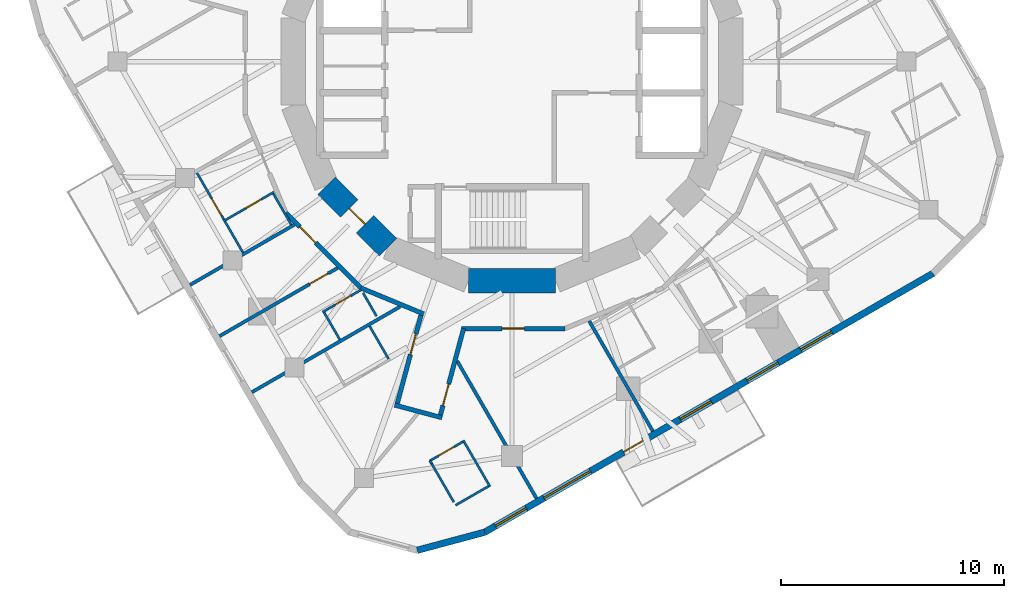
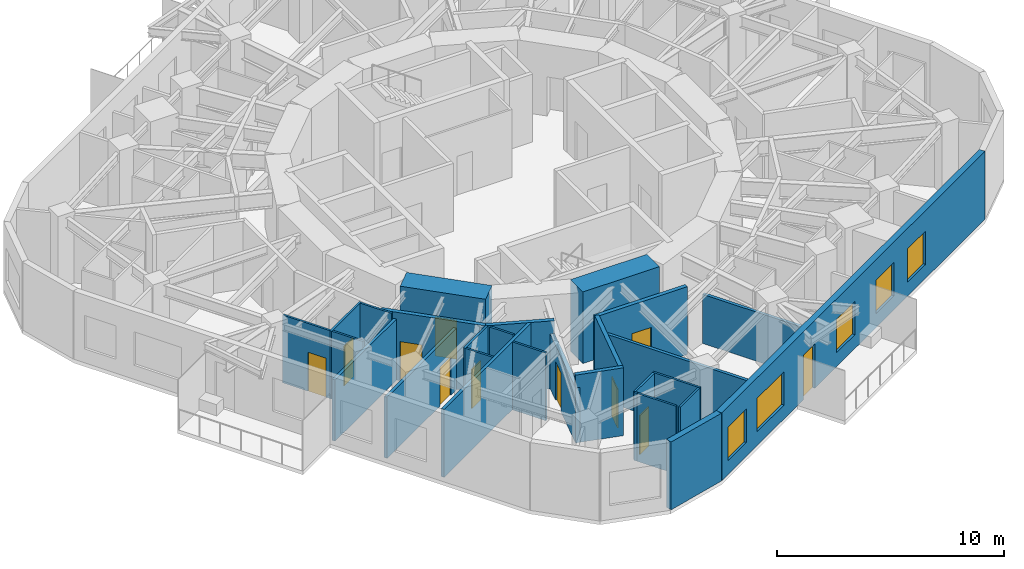
# One storey, part 4 of 11: 28 walls, 11 doors, 5 windows, 16 openings.
"""IFC4 building model written with IfcOpenShell, lengths in metres."""

from ifc_helpers import new_model, si_unit, direction, frame, frame_2d, origin, place, context, subcontext, project, spatial, rectangle, extrude, material, layer, layer_set, type_object, element, fill, save


model = new_model("IFC4")

# Units and contexts
model_context = context("Model", 3, precision=1e-05, world=origin(), true_north=direction((0.0, 1.0)))
body_context = subcontext(model_context, "Body", "Model", "MODEL_VIEW")
ifc_project = project(units=[si_unit("LENGTHUNIT", "METRE"), si_unit("AREAUNIT", "SQUARE_METRE"), si_unit("VOLUMEUNIT", "CUBIC_METRE"), si_unit("PLANEANGLEUNIT", "RADIAN"), si_unit("MASSUNIT", "GRAM", prefix="KILO")], contexts=[model_context])

# Site, building, storey
site_placement = place(None, origin())
site = spatial("IfcSite", under=ifc_project, at=site_placement, CompositionType="ELEMENT")
building_placement = place(site_placement, origin())
building = spatial("IfcBuilding", under=site, at=building_placement, Name="Nakasero Lantern House", CompositionType="ELEMENT")
storey_placement = place(building_placement, frame((0.0, 0.0, 246.199951171875)))
storey = spatial("IfcBuildingStorey", under=building, at=storey_placement, Name="L60", CompositionType="ELEMENT", Elevation=246.199951171875)

# Wall, opening, door
ifc_material_1 = material(Name="Concrete C50/60", Category="concrete")
ifc_layer_1 = layer(ifc_material_1, 1.10009765625)
ifc_layer_set_1 = layer_set([ifc_layer_1], Name="Core wall 1100")
wall_type_1 = type_object("IfcWallType", Name="Core wall 1100", PredefinedType="SHEAR", material=ifc_layer_set_1)
wall_1_placement = place(storey_placement, frame((-8.314697265625, -5.5556640625, 0.0), z_axis=(0.0, 0.0, 1.0), x_axis=(0.707106781187, -0.707106781187, 0.0)))
wall_1 = element("IfcWall", 1, at=wall_1_placement, inside=storey, type_object=wall_type_1, Name="Core wall L60 facet 10", PredefinedType="SHEAR", context=body_context, shape_type="SweptSolid", body=[
    extrude(rectangle(XDim=3.90185546875, YDim=1.10009765625, at=frame_2d((1.950927734375, 0.0))), origin(), (0.0, 0.0, 1.0), 3.85009765625),
])
opening_1_placement = place(wall_1_placement, frame((1.450927734375, 0.0, 0.0)))
opening_1 = element("IfcOpeningElement", 2, at=opening_1_placement, cuts=wall_1, Name="Opening D05", PredefinedType="OPENING", context=body_context, shape_type="SweptSolid", body=[
    extrude(rectangle(XDim=1.0, YDim=2.10009765625, at=frame_2d((0.5, 1.050048828125))), frame((0.0, 0.570068359375, 0.0), z_axis=(0.0, -1.0, 0.0), x_axis=(1.0, 0.0, 0.0)), (0.0, 0.0, 1.0), 1.14013671875),
])
ifc_material_2 = material(Name="Timber C24", Category="wood")
door_type_1 = type_object("IfcDoorType", Name="Core door FD60S 1000", OperationType="SINGLE_SWING_LEFT", PredefinedType="DOOR", material=ifc_material_2)
door_1_placement = place(opening_1_placement, origin())
door_1 = element("IfcDoor", 3, at=door_1_placement, inside=storey, type_object=door_type_1, Name="Door L60 D-CORE10", OperationType="SINGLE_SWING_LEFT", OverallHeight=2.10009765625, OverallWidth=1.0, PredefinedType="DOOR", context=body_context, shape_type="SweptSolid", body=[
    extrude(rectangle(XDim=1.0, YDim=2.10009765625, at=frame_2d((0.5, 1.050048828125))), frame((0.0, 0.02490234375, 0.0), z_axis=(0.0, -1.0, 0.0), x_axis=(1.0, 0.0, 0.0)), (0.0, 0.0, 1.0), 0.050048828125),
])
fill(opening_1, door_1)

# Wall
wall_2_placement = place(storey_placement, frame((-1.950927734375, -9.807861328125, 0.0), z_axis=(0.0, 0.0, 1.0), x_axis=(1.0, 0.0, 0.0)))
element("IfcWall", 4, at=wall_2_placement, inside=storey, type_object=wall_type_1, Name="Core wall L60 facet 12", PredefinedType="SHEAR", context=body_context, shape_type="SweptSolid", body=[
    extrude(rectangle(XDim=3.90185546875, YDim=1.10009765625, at=frame_2d((1.950927734375, 0.0))), origin(), (0.0, 0.0, 1.0), 3.85009765625),
])

# Wall, opening, door
ifc_material_3 = material(Name="Blockwork", Category="masonry")
ifc_layer_2 = layer(ifc_material_3, 0.199951171875)
ifc_layer_set_2 = layer_set([ifc_layer_2], Name="Corridor wall 200")
wall_type_2 = type_object("IfcWallType", Name="Corridor wall 200", PredefinedType="PARTITIONING", material=ifc_layer_set_2)
wall_3_placement = place(storey_placement, frame((2.378662109375, -11.957763671875, 0.0), z_axis=(0.0, 0.0, 1.0), x_axis=(-1.0, 0.0, 0.0)))
wall_3 = element("IfcWall", 5, at=wall_3_placement, inside=storey, type_object=wall_type_2, Name="Corridor wall L60 RC04a", PredefinedType="PARTITIONING", context=body_context, shape_type="SweptSolid", body=[
    extrude(rectangle(XDim=4.651123046875, YDim=0.199951171875, at=frame_2d((2.32568359375, 0.0))), origin(), (0.0, 0.0, 1.0), 3.650146484375),
])
opening_2_placement = place(wall_3_placement, frame((1.820068359375, 0.0, 0.0)))
opening_2 = element("IfcOpeningElement", 6, at=opening_2_placement, cuts=wall_3, Name="Opening D03", PredefinedType="OPENING", context=body_context, shape_type="SweptSolid", body=[
    extrude(rectangle(XDim=1.0, YDim=2.10009765625, at=frame_2d((0.5, 1.050048828125))), frame((0.0, 0.119873046875, 0.0), z_axis=(0.0, -1.0, 0.0), x_axis=(1.0, 0.0, 0.0)), (0.0, 0.0, 1.0), 0.239990234375),
])
ifc_material_4 = material(Name="Timber C24", Category="wood")
door_type_2 = type_object("IfcDoorType", Name="Lounge door FD30S 1000", OperationType="SINGLE_SWING_LEFT", PredefinedType="DOOR", material=ifc_material_4)
door_2_placement = place(opening_2_placement, origin())
door_2 = element("IfcDoor", 7, at=door_2_placement, inside=storey, type_object=door_type_2, Name="Door L60 DK3", OperationType="SINGLE_SWING_LEFT", OverallHeight=2.10009765625, OverallWidth=1.0, PredefinedType="DOOR", context=body_context, shape_type="SweptSolid", body=[
    extrude(rectangle(XDim=1.0, YDim=2.10009765625, at=frame_2d((0.5, 1.050048828125))), frame((0.0, 0.02490234375, 0.0), z_axis=(0.0, -1.0, 0.0), x_axis=(1.0, 0.0, 0.0)), (0.0, 0.0, 1.0), 0.050048828125),
])
fill(opening_2, door_2)

# Wall
wall_4_placement = place(storey_placement, frame((-3.960205078125, -11.302734375, 0.0), z_axis=(0.0, 0.0, 1.0), x_axis=(-0.923890787601, 0.382656259044, 0.0)))
element("IfcWall", 8, at=wall_4_placement, inside=storey, type_object=wall_type_2, Name="Corridor wall L60 RC05a", PredefinedType="PARTITIONING", context=body_context, shape_type="SweptSolid", body=[
    extrude(rectangle(XDim=3.045166015625, YDim=0.199951171875, at=frame_2d((1.5224609375, 0.0))), origin(), (0.0, 0.0, 1.0), 3.650146484375),
])

# Wall, opening, door
wall_5_placement = place(storey_placement, frame((-6.773681640625, -10.137451171875, 0.0), z_axis=(0.0, 0.0, 1.0), x_axis=(-0.707106781187, 0.707106781187, 0.0)))
wall_5 = element("IfcWall", 9, at=wall_5_placement, inside=storey, type_object=wall_type_2, Name="Corridor wall L60 RC06a", PredefinedType="PARTITIONING", context=body_context, shape_type="SweptSolid", body=[
    extrude(rectangle(XDim=4.757080078125, YDim=0.199951171875, at=frame_2d((2.37841796875, 0.0))), origin(), (0.0, 0.0, 1.0), 3.650146484375),
])
opening_3_placement = place(wall_5_placement, frame((2.8701171875, 0.0, 0.0)))
opening_3 = element("IfcOpeningElement", 10, at=opening_3_placement, cuts=wall_5, Name="Opening D14", PredefinedType="OPENING", context=body_context, shape_type="SweptSolid", body=[
    extrude(rectangle(XDim=1.0, YDim=2.10009765625, at=frame_2d((0.5, 1.050048828125))), frame((0.0, 0.119873046875, 0.0), z_axis=(0.0, -1.0, 0.0), x_axis=(1.0, 0.0, 0.0)), (0.0, 0.0, 1.0), 0.239990234375),
])
ifc_material_5 = material(Name="Timber C24", Category="wood")
door_type_3 = type_object("IfcDoorType", Name="Cluster entrance door FD30S 1000", OperationType="SINGLE_SWING_LEFT", PredefinedType="DOOR", material=ifc_material_5)
door_3_placement = place(opening_3_placement, origin())
door_3 = element("IfcDoor", 11, at=door_3_placement, inside=storey, type_object=door_type_3, Name="Door L60 D2-04", OperationType="SINGLE_SWING_RIGHT", OverallHeight=2.10009765625, OverallWidth=1.0, PredefinedType="DOOR", context=body_context, shape_type="SweptSolid", body=[
    extrude(rectangle(XDim=1.0, YDim=2.10009765625, at=frame_2d((0.5, 1.050048828125))), frame((0.0, 0.02490234375, 0.0), z_axis=(0.0, -1.0, 0.0), x_axis=(1.0, 0.0, 0.0)), (0.0, 0.0, 1.0), 0.050048828125),
])
fill(opening_3, door_3)

wall_6_placement = place(storey_placement, frame((-4.053466796875, -11.26416015625, 0.0), z_axis=(0.0, 0.0, 1.0), x_axis=(-0.258841611204, -0.965919779438, 0.0)))
wall_6 = element("IfcWall", 12, at=wall_6_placement, inside=storey, type_object=wall_type_2, Name="Corridor wall L60 SP2a", PredefinedType="PARTITIONING", context=body_context, shape_type="SweptSolid", body=[
    extrude(rectangle(XDim=4.394287109375, YDim=0.199951171875, at=frame_2d((2.197265625, 0.0))), origin(), (0.0, 0.0, 1.0), 2.95703125),
])
opening_4_placement = place(wall_6_placement, frame((0.969970703125, 0.0, 0.0)))
opening_4 = element("IfcOpeningElement", 13, at=opening_4_placement, cuts=wall_6, Name="Opening D01", PredefinedType="OPENING", context=body_context, shape_type="SweptSolid", body=[
    extrude(rectangle(XDim=0.949951171875, YDim=2.10009765625, at=frame_2d((0.47509765625, 1.050048828125))), frame((0.0, 0.119873046875, 0.0), z_axis=(0.0, -1.0, 0.0), x_axis=(1.0, 0.0, 0.0)), (0.0, 0.0, 1.0), 0.239990234375),
])
ifc_material_6 = material(Name="Timber C24", Category="wood")
door_type_4 = type_object("IfcDoorType", Name="Bedroom door FD30S 950", OperationType="SINGLE_SWING_LEFT", PredefinedType="DOOR", material=ifc_material_6)
door_4_placement = place(opening_4_placement, origin())
door_4 = element("IfcDoor", 14, at=door_4_placement, inside=storey, type_object=door_type_4, Name="Door L60 D2-06", OperationType="SINGLE_SWING_LEFT", OverallHeight=2.10009765625, OverallWidth=0.949951171875, PredefinedType="DOOR", context=body_context, shape_type="SweptSolid", body=[
    extrude(rectangle(XDim=0.949951171875, YDim=2.10009765625, at=frame_2d((0.47509765625, 1.050048828125))), frame((0.0, 0.02490234375, 0.0), z_axis=(0.0, -1.0, 0.0), x_axis=(1.0, 0.0, 0.0)), (0.0, 0.0, 1.0), 0.050048828125),
])
fill(opening_4, door_4)

wall_7_placement = place(storey_placement, frame((-2.168701171875, -11.957763671875, 0.0), z_axis=(0.0, 0.0, 1.0), x_axis=(-0.258852936168, -0.965916744568, 0.0)))
wall_7 = element("IfcWall", 15, at=wall_7_placement, inside=storey, type_object=wall_type_2, Name="Corridor wall L60 SP2b", PredefinedType="PARTITIONING", context=body_context, shape_type="SweptSolid", body=[
    extrude(rectangle(XDim=4.212158203125, YDim=0.199951171875, at=frame_2d((2.10595703125, 0.0))), origin(), (0.0, 0.0, 1.0), 3.650146484375),
])
opening_5_placement = place(wall_7_placement, frame((2.570068359375, 0.0, 0.0)))
opening_5 = element("IfcOpeningElement", 16, at=opening_5_placement, cuts=wall_7, Name="Opening D07", PredefinedType="OPENING", context=body_context, shape_type="SweptSolid", body=[
    extrude(rectangle(XDim=1.0, YDim=2.10009765625, at=frame_2d((0.5, 1.050048828125))), frame((0.0, 0.119873046875, 0.0), z_axis=(0.0, -1.0, 0.0), x_axis=(1.0, 0.0, 0.0)), (0.0, 0.0, 1.0), 0.239990234375),
])
ifc_material_7 = material(Name="Timber C24", Category="wood")
door_type_5 = type_object("IfcDoorType", Name="Room door FD30S 1000", OperationType="SINGLE_SWING_LEFT", PredefinedType="DOOR", material=ifc_material_7)
door_5_placement = place(opening_5_placement, origin())
door_5 = element("IfcDoor", 17, at=door_5_placement, inside=storey, type_object=door_type_5, Name="Door L60 D3-00", OperationType="SINGLE_SWING_RIGHT", OverallHeight=2.10009765625, OverallWidth=1.0, PredefinedType="DOOR", context=body_context, shape_type="SweptSolid", body=[
    extrude(rectangle(XDim=1.0, YDim=2.10009765625, at=frame_2d((0.5, 1.050048828125))), frame((0.0, 0.02490234375, 0.0), z_axis=(0.0, -1.0, 0.0), x_axis=(1.0, 0.0, 0.0)), (0.0, 0.0, 1.0), 0.050048828125),
])
fill(opening_5, door_5)

# Wall
wall_8_placement = place(storey_placement, frame((-5.261474609375, -15.38623046875, 0.0), z_axis=(0.0, 0.0, 1.0), x_axis=(0.965904454439, -0.258898792763, 0.0)))
element("IfcWall", 18, at=wall_8_placement, inside=storey, type_object=wall_type_2, Name="Corridor wall L60 SP2e", PredefinedType="PARTITIONING", context=body_context, shape_type="SweptSolid", body=[
    extrude(rectangle(XDim=2.199951171875, YDim=0.199951171875, at=frame_2d((1.10009765625, 0.0))), origin(), (0.0, 0.0, 1.0), 3.650146484375),
])

# Wall, opening, door
ifc_material_8 = material(Name="Blockwork", Category="masonry")
ifc_layer_3 = layer(ifc_material_8, 0.10009765625)
ifc_layer_set_3 = layer_set([ifc_layer_3], Name="En-suite wall 100")
wall_type_3 = type_object("IfcWallType", Name="En-suite wall 100", PredefinedType="PARTITIONING", material=ifc_layer_set_3)
wall_9_placement = place(storey_placement, frame((-10.674560546875, -5.846435546875, 0.0), z_axis=(0.0, 0.0, 1.0), x_axis=(-0.866021400173, -0.500006934395, 0.0)))
wall_9 = element("IfcWall", 19, at=wall_9_placement, inside=storey, type_object=wall_type_3, Name="En-suite wall L60 ES2-03", PredefinedType="PARTITIONING", context=body_context, shape_type="SweptSolid", body=[
    extrude(rectangle(XDim=2.60009765625, YDim=0.10009765625, at=frame_2d((1.300048828125, 0.0))), origin(), (0.0, 0.0, 1.0), 3.650146484375),
])
opening_6_placement = place(wall_9_placement, frame((0.64990234375, 0.0, 0.0)))
opening_6 = element("IfcOpeningElement", 20, at=opening_6_placement, cuts=wall_9, Name="Opening D02", PredefinedType="OPENING", context=body_context, shape_type="SweptSolid", body=[
    extrude(rectangle(XDim=0.800048828125, YDim=2.10009765625, at=frame_2d((0.39990234375, 1.050048828125))), frame((0.0, 0.070068359375, 0.0), z_axis=(0.0, -1.0, 0.0), x_axis=(1.0, 0.0, 0.0)), (0.0, 0.0, 1.0), 0.14013671875),
])
ifc_material_9 = material(Name="Timber C24", Category="wood")
door_type_6 = type_object("IfcDoorType", Name="En-suite door 800", OperationType="SINGLE_SWING_RIGHT", PredefinedType="DOOR", material=ifc_material_9)
door_6_placement = place(opening_6_placement, origin())
door_6 = element("IfcDoor", 21, at=door_6_placement, inside=storey, type_object=door_type_6, Name="Door L60 DE2-03", OperationType="SINGLE_SWING_LEFT", OverallHeight=2.10009765625, OverallWidth=0.800048828125, PredefinedType="DOOR", context=body_context, shape_type="SweptSolid", body=[
    extrude(rectangle(XDim=0.800048828125, YDim=2.10009765625, at=frame_2d((0.39990234375, 1.050048828125))), frame((0.0, 0.02490234375, 0.0), z_axis=(0.0, -1.0, 0.0), x_axis=(1.0, 0.0, 0.0)), (0.0, 0.0, 1.0), 0.050048828125),
])
fill(opening_6, door_6)

# Walls
for number, where, z_axis, x_axis, name in (
    (22, (-12.85791015625, -7.164794921875, 0.0), (0.0, 0.0, 1.0), (0.499880961361, -0.866094119867, 0.0), "En-suite wall L60 EE2-03"),
    (23, (-10.69287109375, -5.914794921875, 0.0), (0.0, 0.0, 1.0), (0.499880961361, -0.866094119867, 0.0), "En-suite wall L60 EI2-03"),
):
    element("IfcWall", number, at=place(storey_placement, frame(where, z_axis=z_axis, x_axis=x_axis)), inside=storey, type_object=wall_type_3, Name=name, PredefinedType="PARTITIONING", context=body_context, shape_type="SweptSolid", body=[
        extrude(rectangle(XDim=1.60009765625, YDim=0.10009765625, at=frame_2d((0.800048828125, 0.0))), origin(), (0.0, 0.0, 1.0), 3.650146484375),
    ])

# Wall, opening, door
wall_10_placement = place(storey_placement, frame((-6.754150390625, -10.220703125, 0.0), z_axis=(0.0, 0.0, 1.0), x_axis=(-0.866010750942, -0.50002537861, 0.0)))
wall_10 = element("IfcWall", 24, at=wall_10_placement, inside=storey, type_object=wall_type_3, Name="En-suite wall L60 ES2-05", PredefinedType="PARTITIONING", context=body_context, shape_type="SweptSolid", body=[
    extrude(rectangle(XDim=2.0, YDim=0.10009765625, at=frame_2d((1.0, 0.0))), origin(), (0.0, 0.0, 1.0), 3.650146484375),
])
opening_7_placement = place(wall_10_placement, frame((0.550048828125, 0.0, 0.0)))
opening_7 = element("IfcOpeningElement", 25, at=opening_7_placement, cuts=wall_10, Name="Opening D02", PredefinedType="OPENING", context=body_context, shape_type="SweptSolid", body=[
    extrude(rectangle(XDim=0.800048828125, YDim=2.10009765625, at=frame_2d((0.39990234375, 1.050048828125))), frame((0.0, 0.070068359375, 0.0), z_axis=(0.0, -1.0, 0.0), x_axis=(1.0, 0.0, 0.0)), (0.0, 0.0, 1.0), 0.14013671875),
])
door_7_placement = place(opening_7_placement, origin())
door_7 = element("IfcDoor", 26, at=door_7_placement, inside=storey, type_object=door_type_6, Name="Door L60 DE2-05", OperationType="SINGLE_SWING_LEFT", OverallHeight=2.10009765625, OverallWidth=0.800048828125, PredefinedType="DOOR", context=body_context, shape_type="SweptSolid", body=[
    extrude(rectangle(XDim=0.800048828125, YDim=2.10009765625, at=frame_2d((0.39990234375, 1.050048828125))), frame((0.0, 0.02490234375, 0.0), z_axis=(0.0, -1.0, 0.0), x_axis=(1.0, 0.0, 0.0)), (0.0, 0.0, 1.0), 0.050048828125),
])
fill(opening_7, door_7)

# Walls
wall_11_placement = place(storey_placement, frame((-8.417724609375, -11.239013671875, 0.0), z_axis=(0.0, 0.0, 1.0), x_axis=(0.49998411664, -0.866034573852, 0.0)))
element("IfcWall", 27, at=wall_11_placement, inside=storey, type_object=wall_type_3, Name="En-suite wall L60 EE2-05", PredefinedType="PARTITIONING", context=body_context, shape_type="SweptSolid", body=[
    extrude(rectangle(XDim=1.39990234375, YDim=0.10009765625, at=frame_2d((0.699951171875, 0.0))), origin(), (0.0, 0.0, 1.0), 3.650146484375),
])
wall_12_placement = place(storey_placement, frame((-6.37890625, -11.8515625, 0.0), z_axis=(0.0, 0.0, 1.0), x_axis=(0.500062241894, -0.865989465428, 0.0)))
element("IfcWall", 28, at=wall_12_placement, inside=storey, type_object=wall_type_3, Name="En-suite wall L60 EI2-06", PredefinedType="PARTITIONING", context=body_context, shape_type="SweptSolid", body=[
    extrude(rectangle(XDim=1.699951171875, YDim=0.10009765625, at=frame_2d((0.85009765625, 0.0))), origin(), (0.0, 0.0, 1.0), 3.650146484375),
])
wall_13_placement = place(storey_placement, frame((-2.18505859375, -16.96533203125, 0.0), z_axis=(0.0, 0.0, 1.0), x_axis=(0.499957262057, -0.866050077142, 0.0)))
element("IfcWall", 29, at=wall_13_placement, inside=storey, type_object=wall_type_3, Name="En-suite wall L60 ES3-00", PredefinedType="PARTITIONING", context=body_context, shape_type="SweptSolid", body=[
    extrude(rectangle(XDim=2.400146484375, YDim=0.10009765625, at=frame_2d((1.2001953125, 0.0))), origin(), (0.0, 0.0, 1.0), 3.650146484375),
])
wall_14_placement = place(storey_placement, frame((-2.525634765625, -19.87548828125, 0.0), z_axis=(0.0, 0.0, 1.0), x_axis=(0.866087547558, 0.499892348375, 0.0)))
element("IfcWall", 30, at=wall_14_placement, inside=storey, type_object=wall_type_3, Name="En-suite wall L60 EE3-00", PredefinedType="PARTITIONING", context=body_context, shape_type="SweptSolid", body=[
    extrude(rectangle(XDim=1.699951171875, YDim=0.10009765625, at=frame_2d((0.85009765625, 0.0))), origin(), (0.0, 0.0, 1.0), 3.650146484375),
])

# Wall, opening, door
wall_15_placement = place(storey_placement, frame((-3.675537109375, -17.8837890625, 0.0), z_axis=(0.0, 0.0, 1.0), x_axis=(0.865989465428, 0.500062241894, 0.0)))
wall_15 = element("IfcWall", 31, at=wall_15_placement, inside=storey, type_object=wall_type_3, Name="En-suite wall L60 EI3-00", PredefinedType="PARTITIONING", context=body_context, shape_type="SweptSolid", body=[
    extrude(rectangle(XDim=1.699951171875, YDim=0.10009765625, at=frame_2d((0.85009765625, 0.0))), origin(), (0.0, 0.0, 1.0), 3.650146484375),
])
opening_8_placement = place(wall_15_placement, frame((0.449951171875, 0.0, 0.0)))
opening_8 = element("IfcOpeningElement", 32, at=opening_8_placement, cuts=wall_15, Name="Opening D15", PredefinedType="OPENING", context=body_context, shape_type="SweptSolid", body=[
    extrude(rectangle(XDim=0.800048828125, YDim=2.10009765625, at=frame_2d((0.39990234375, 1.050048828125))), frame((0.0, 0.070068359375, 0.0), z_axis=(0.0, -1.0, 0.0), x_axis=(1.0, 0.0, 0.0)), (0.0, 0.0, 1.0), 0.14013671875),
])
ifc_material_10 = material(Name="Timber C24", Category="wood")
door_type_7 = type_object("IfcDoorType", Name="Cleaner's store door FD30S 800", OperationType="SINGLE_SWING_LEFT", PredefinedType="DOOR", material=ifc_material_10)
door_8_placement = place(opening_8_placement, origin())
door_8 = element("IfcDoor", 33, at=door_8_placement, inside=storey, type_object=door_type_7, Name="Door L60 DE3-00", OperationType="SINGLE_SWING_RIGHT", OverallHeight=2.10009765625, OverallWidth=0.800048828125, PredefinedType="DOOR", context=body_context, shape_type="SweptSolid", body=[
    extrude(rectangle(XDim=0.800048828125, YDim=2.10009765625, at=frame_2d((0.39990234375, 1.050048828125))), frame((0.0, 0.02490234375, 0.0), z_axis=(0.0, -1.0, 0.0), x_axis=(1.0, 0.0, 0.0)), (0.0, 0.0, 1.0), 0.050048828125),
])
fill(opening_8, door_8)

wall_16_placement = place(storey_placement, frame((-14.1162109375, -4.985595703125, 0.0), z_axis=(0.0, 0.0, 1.0), x_axis=(0.500040226184, -0.86600217794, 0.0)))
wall_16 = element("IfcWall", 34, at=wall_16_placement, inside=storey, type_object=wall_type_3, Name="En-suite wall L60 EL2-03", PredefinedType="PARTITIONING", context=body_context, shape_type="SweptSolid", body=[
    extrude(rectangle(XDim=2.416259765625, YDim=0.10009765625, at=frame_2d((1.2080078125, 0.0))), origin(), (0.0, 0.0, 1.0), 3.650146484375),
])
opening_9_placement = place(wall_16_placement, frame((1.31640625, 0.0, 0.0)))
opening_9 = element("IfcOpeningElement", 35, at=opening_9_placement, cuts=wall_16, Name="Opening D17", PredefinedType="OPENING", context=body_context, shape_type="SweptSolid", body=[
    extrude(rectangle(XDim=0.89990234375, YDim=2.10009765625, at=frame_2d((0.449951171875, 1.050048828125))), frame((0.0, 0.070068359375, 0.0), z_axis=(0.0, -1.0, 0.0), x_axis=(1.0, 0.0, 0.0)), (0.0, 0.0, 1.0), 0.14013671875),
])
ifc_material_11 = material(Name="Timber C24", Category="wood")
door_type_8 = type_object("IfcDoorType", Name="Bedroom door FD30S 900", OperationType="SINGLE_SWING_LEFT", PredefinedType="DOOR", material=ifc_material_11)
door_9_placement = place(opening_9_placement, origin())
door_9 = element("IfcDoor", 36, at=door_9_placement, inside=storey, type_object=door_type_8, Name="Door L60 DL2-03", OperationType="SINGLE_SWING_RIGHT", OverallHeight=2.10009765625, OverallWidth=0.89990234375, PredefinedType="DOOR", context=body_context, shape_type="SweptSolid", body=[
    extrude(rectangle(XDim=0.89990234375, YDim=2.10009765625, at=frame_2d((0.449951171875, 1.050048828125))), frame((0.0, 0.02490234375, 0.0), z_axis=(0.0, -1.0, 0.0), x_axis=(1.0, 0.0, 0.0)), (0.0, 0.0, 1.0), 0.050048828125),
])
fill(opening_9, door_9)

# Walls
wall_17_placement = place(storey_placement, frame((-6.071533203125, -11.40283203125, 0.0), z_axis=(0.0, 0.0, 1.0), x_axis=(-0.500061536317, 0.86598987286, 0.0)))
element("IfcWall", 37, at=wall_17_placement, inside=storey, type_object=wall_type_3, Name="En-suite wall L60 EX004", PredefinedType="PARTITIONING", context=body_context, shape_type="SweptSolid", body=[
    extrude(rectangle(XDim=1.204833984375, YDim=0.10009765625, at=frame_2d((0.6025390625, 0.0))), origin(), (0.0, 0.0, 1.0), 3.650146484375),
])
wall_18_placement = place(storey_placement, frame((-3.595458984375, -18.022216796875, 0.0), z_axis=(0.0, 0.0, 1.0), x_axis=(0.499971491109, -0.866041862775, 0.0)))
element("IfcWall", 38, at=wall_18_placement, inside=storey, type_object=wall_type_3, Name="En-suite wall L60 EX005", PredefinedType="PARTITIONING", context=body_context, shape_type="SweptSolid", body=[
    extrude(rectangle(XDim=1.97998046875, YDim=0.10009765625, at=frame_2d((0.989990234375, 0.0))), origin(), (0.0, 0.0, 1.0), 3.650146484375),
])
wall_19_placement = place(storey_placement, frame((-3.675537109375, -17.8837890625, 0.0), z_axis=(0.0, 0.0, 1.0), x_axis=(0.500735348028, -0.865600433939, 0.0)))
element("IfcWall", 39, at=wall_19_placement, inside=storey, type_object=wall_type_3, Name="En-suite wall L60 EI3-00R0", PredefinedType="PARTITIONING", context=body_context, shape_type="SweptSolid", body=[
    extrude(rectangle(XDim=0.159912109375, YDim=0.10009765625, at=frame_2d((0.080078125, 0.0))), origin(), (0.0, 0.0, 1.0), 3.650146484375),
])
ifc_material_12 = material(Name="Aluminium rainscreen on blockwork", Category="masonry")
ifc_layer_4 = layer(ifc_material_12, 0.300048828125)
ifc_layer_set_4 = layer_set([ifc_layer_4], Name="Facade wall 300")
wall_type_4 = type_object("IfcWallType", Name="Facade wall 300", PredefinedType="SOLIDWALL", material=ifc_layer_set_4)
wall_20_placement = place(storey_placement, frame((-4.245849609375, -21.89599609375, 0.0), z_axis=(0.0, 0.0, 1.0), x_axis=(0.96592369199, 0.258827010283, 0.0)))
element("IfcWall", 40, at=wall_20_placement, inside=storey, type_object=wall_type_4, Name="Facade wall L60 FW2C3", PredefinedType="SOLIDWALL", context=body_context, shape_type="SweptSolid", body=[
    extrude(rectangle(XDim=3.131591796875, YDim=0.300048828125, at=frame_2d((1.56591796875, 0.0))), origin(), (0.0, 0.0, 1.0), 3.650146484375),
])

# Wall, openings, door, windows
wall_21_placement = place(storey_placement, frame((-1.220947265625, -21.08544921875, 0.0), z_axis=(0.0, 0.0, 1.0), x_axis=(0.86602366199, 0.500003016864, 0.0)))
wall_21 = element("IfcWall", 41, at=wall_21_placement, inside=storey, type_object=wall_type_4, Name="Facade wall L60 FW3S", PredefinedType="SOLIDWALL", context=body_context, shape_type="SweptSolid", body=[
    extrude(rectangle(XDim=23.199951171875, YDim=0.300048828125, at=frame_2d((11.60009765625, 0.0))), origin(), (0.0, 0.0, 1.0), 3.650146484375),
])
opening_10_placement = place(wall_21_placement, frame((0.5458984375, 0.0, 0.75)))
opening_10 = element("IfcOpeningElement", 42, at=opening_10_placement, cuts=wall_21, Name="Opening W01", PredefinedType="OPENING", context=body_context, shape_type="SweptSolid", body=[
    extrude(rectangle(XDim=1.60009765625, YDim=1.800048828125, at=frame_2d((0.800048828125, 0.89990234375))), frame((0.0, 0.169921875, 0.0), z_axis=(0.0, -1.0, 0.0), x_axis=(1.0, 0.0, 0.0)), (0.0, 0.0, 1.0), 0.340087890625),
])
opening_11_placement = place(wall_21_placement, frame((10.11767578125, 0.0, 0.75)))
opening_11 = element("IfcOpeningElement", 43, at=opening_11_placement, cuts=wall_21, Name="Opening W01", PredefinedType="OPENING", context=body_context, shape_type="SweptSolid", body=[
    extrude(rectangle(XDim=1.60009765625, YDim=1.800048828125, at=frame_2d((0.800048828125, 0.89990234375))), frame((0.0, 0.169921875, 0.0), z_axis=(0.0, -1.0, 0.0), x_axis=(1.0, 0.0, 0.0)), (0.0, 0.0, 1.0), 0.340087890625),
])
opening_12_placement = place(wall_21_placement, frame((13.5751953125, 0.0, 0.75)))
opening_12 = element("IfcOpeningElement", 44, at=opening_12_placement, cuts=wall_21, Name="Opening W01", PredefinedType="OPENING", context=body_context, shape_type="SweptSolid", body=[
    extrude(rectangle(XDim=1.60009765625, YDim=1.800048828125, at=frame_2d((0.800048828125, 0.89990234375))), frame((0.0, 0.169921875, 0.0), z_axis=(0.0, -1.0, 0.0), x_axis=(1.0, 0.0, 0.0)), (0.0, 0.0, 1.0), 0.340087890625),
])
opening_13_placement = place(wall_21_placement, frame((16.349609375, 0.0, 0.75)))
opening_13 = element("IfcOpeningElement", 45, at=opening_13_placement, cuts=wall_21, Name="Opening W01", PredefinedType="OPENING", context=body_context, shape_type="SweptSolid", body=[
    extrude(rectangle(XDim=1.60009765625, YDim=1.800048828125, at=frame_2d((0.800048828125, 0.89990234375))), frame((0.0, 0.169921875, 0.0), z_axis=(0.0, -1.0, 0.0), x_axis=(1.0, 0.0, 0.0)), (0.0, 0.0, 1.0), 0.340087890625),
])
opening_14_placement = place(wall_21_placement, frame((3.071044921875, 0.0, 0.75)))
opening_14 = element("IfcOpeningElement", 46, at=opening_14_placement, cuts=wall_21, Name="Opening W03", PredefinedType="OPENING", context=body_context, shape_type="SweptSolid", body=[
    extrude(rectangle(XDim=2.39990234375, YDim=1.800048828125, at=frame_2d((1.199951171875, 0.89990234375))), frame((0.0, 0.169921875, 0.0), z_axis=(0.0, -1.0, 0.0), x_axis=(1.0, 0.0, 0.0)), (0.0, 0.0, 1.0), 0.340087890625),
])
opening_15_placement = place(wall_21_placement, frame((7.1904296875, 0.0, 0.0)))
opening_15 = element("IfcOpeningElement", 47, at=opening_15_placement, cuts=wall_21, Name="Opening D04", PredefinedType="OPENING", context=body_context, shape_type="SweptSolid", body=[
    extrude(rectangle(XDim=1.0, YDim=2.39990234375, at=frame_2d((0.5, 1.199951171875))), frame((0.0, 0.169921875, 0.0), z_axis=(0.0, -1.0, 0.0), x_axis=(1.0, 0.0, 0.0)), (0.0, 0.0, 1.0), 0.340087890625),
])
ifc_material_13 = material(Name="Aluminium 6063-T6 and glass", Category="aluminium")
door_type_9 = type_object("IfcDoorType", Name="Balcony door 1000x2400", OperationType="SINGLE_SWING_RIGHT", PredefinedType="DOOR", material=ifc_material_13)
door_10_placement = place(opening_15_placement, origin())
door_10 = element("IfcDoor", 48, at=door_10_placement, inside=storey, type_object=door_type_9, Name="Balcony door L60 DB3", OperationType="SINGLE_SWING_RIGHT", OverallHeight=2.39990234375, OverallWidth=1.0, PredefinedType="DOOR", context=body_context, shape_type="SweptSolid", body=[
    extrude(rectangle(XDim=1.0, YDim=2.39990234375, at=frame_2d((0.5, 1.199951171875))), frame((0.0, 0.02490234375, 0.0), z_axis=(0.0, -1.0, 0.0), x_axis=(1.0, 0.0, 0.0)), (0.0, 0.0, 1.0), 0.050048828125),
])
fill(opening_15, door_10)
ifc_material_14 = material(Name="Aluminium 6063-T6 and glass", Category="aluminium")
window_type_1 = type_object("IfcWindowType", Name="Bedroom window 1600x1800", PartitioningType="SINGLE_PANEL", PredefinedType="WINDOW", material=ifc_material_14)
window_1_placement = place(opening_10_placement, origin())
window_1 = element("IfcWindow", 49, at=window_1_placement, inside=storey, type_object=window_type_1, Name="Window L60 WN3-00", OverallHeight=1.800048828125, OverallWidth=1.60009765625, PartitioningType="SINGLE_PANEL", PredefinedType="WINDOW", context=body_context, shape_type="SweptSolid", body=[
    extrude(rectangle(XDim=1.60009765625, YDim=1.800048828125, at=frame_2d((0.800048828125, 0.89990234375))), frame((0.0, 0.030029296875, 0.0), z_axis=(0.0, -1.0, 0.0), x_axis=(1.0, 0.0, 0.0)), (0.0, 0.0, 1.0), 0.06005859375),
])
fill(opening_10, window_1)
window_2_placement = place(opening_11_placement, origin())
window_2 = element("IfcWindow", 50, at=window_2_placement, inside=storey, type_object=window_type_1, Name="Window L60 WN3-03", OverallHeight=1.800048828125, OverallWidth=1.60009765625, PartitioningType="SINGLE_PANEL", PredefinedType="WINDOW", context=body_context, shape_type="SweptSolid", body=[
    extrude(rectangle(XDim=1.60009765625, YDim=1.800048828125, at=frame_2d((0.800048828125, 0.89990234375))), frame((0.0, 0.030029296875, 0.0), z_axis=(0.0, -1.0, 0.0), x_axis=(1.0, 0.0, 0.0)), (0.0, 0.0, 1.0), 0.06005859375),
])
fill(opening_11, window_2)
window_3_placement = place(opening_12_placement, origin())
window_3 = element("IfcWindow", 51, at=window_3_placement, inside=storey, type_object=window_type_1, Name="Window L60 WN3-04", OverallHeight=1.800048828125, OverallWidth=1.60009765625, PartitioningType="SINGLE_PANEL", PredefinedType="WINDOW", context=body_context, shape_type="SweptSolid", body=[
    extrude(rectangle(XDim=1.60009765625, YDim=1.800048828125, at=frame_2d((0.800048828125, 0.89990234375))), frame((0.0, 0.030029296875, 0.0), z_axis=(0.0, -1.0, 0.0), x_axis=(1.0, 0.0, 0.0)), (0.0, 0.0, 1.0), 0.06005859375),
])
fill(opening_12, window_3)
window_4_placement = place(opening_13_placement, origin())
window_4 = element("IfcWindow", 52, at=window_4_placement, inside=storey, type_object=window_type_1, Name="Window L60 WN3-05", OverallHeight=1.800048828125, OverallWidth=1.60009765625, PartitioningType="SINGLE_PANEL", PredefinedType="WINDOW", context=body_context, shape_type="SweptSolid", body=[
    extrude(rectangle(XDim=1.60009765625, YDim=1.800048828125, at=frame_2d((0.800048828125, 0.89990234375))), frame((0.0, 0.030029296875, 0.0), z_axis=(0.0, -1.0, 0.0), x_axis=(1.0, 0.0, 0.0)), (0.0, 0.0, 1.0), 0.06005859375),
])
fill(opening_13, window_4)
ifc_material_15 = material(Name="Aluminium 6063-T6 and glass", Category="aluminium")
window_type_2 = type_object("IfcWindowType", Name="Lounge window 2400x1800", PartitioningType="SINGLE_PANEL", PredefinedType="WINDOW", material=ifc_material_15)
window_5_placement = place(opening_14_placement, origin())
window_5 = element("IfcWindow", 53, at=window_5_placement, inside=storey, type_object=window_type_2, Name="Window L60 WK3", OverallHeight=1.800048828125, OverallWidth=2.39990234375, PartitioningType="SINGLE_PANEL", PredefinedType="WINDOW", context=body_context, shape_type="SweptSolid", body=[
    extrude(rectangle(XDim=2.39990234375, YDim=1.800048828125, at=frame_2d((1.199951171875, 0.89990234375))), frame((0.0, 0.030029296875, 0.0), z_axis=(0.0, -1.0, 0.0), x_axis=(1.0, 0.0, 0.0)), (0.0, 0.0, 1.0), 0.06005859375),
])
fill(opening_14, window_5)

# Wall
ifc_material_16 = material(Name="Blockwork", Category="masonry")
ifc_layer_5 = layer(ifc_material_16, 0.14990234375)
ifc_layer_set_5 = layer_set([ifc_layer_5], Name="Party wall 150")
wall_type_5 = type_object("IfcWallType", Name="Party wall 150", PredefinedType="PARTITIONING", material=ifc_layer_set_5)
wall_22_placement = place(storey_placement, frame((-9.748779296875, -7.3037109375, 0.0), z_axis=(0.0, 0.0, 1.0), x_axis=(-0.86600807666, -0.500030010259, 0.0)))
element("IfcWall", 54, at=wall_22_placement, inside=storey, type_object=wall_type_5, Name="Party wall L60 PW2-04", PredefinedType="PARTITIONING", context=body_context, shape_type="SweptSolid", body=[
    extrude(rectangle(XDim=5.405517578125, YDim=0.14990234375, at=frame_2d((2.70263671875, 0.0))), origin(), (0.0, 0.0, 1.0), 3.295166015625),
])

# Wall, opening, door
wall_23_placement = place(storey_placement, frame((-7.8095703125, -9.24267578125, 0.0), z_axis=(0.0, 0.0, 1.0), x_axis=(-0.866033345069, -0.49998624504, 0.0)))
wall_23 = element("IfcWall", 55, at=wall_23_placement, inside=storey, type_object=wall_type_5, Name="Party wall L60 PW2-05", PredefinedType="PARTITIONING", context=body_context, shape_type="SweptSolid", body=[
    extrude(rectangle(XDim=6.115478515625, YDim=0.14990234375, at=frame_2d((3.0576171875, 0.0))), origin(), (0.0, 0.0, 1.0), 3.295166015625),
])
opening_16_placement = place(wall_23_placement, frame((0.5, 0.0, 0.0)))
opening_16 = element("IfcOpeningElement", 56, at=opening_16_placement, cuts=wall_23, Name="Opening D01", PredefinedType="OPENING", context=body_context, shape_type="SweptSolid", body=[
    extrude(rectangle(XDim=0.949951171875, YDim=2.10009765625, at=frame_2d((0.47509765625, 1.050048828125))), frame((0.0, 0.094970703125, 0.0), z_axis=(0.0, -1.0, 0.0), x_axis=(1.0, 0.0, 0.0)), (0.0, 0.0, 1.0), 0.18994140625),
])
door_11_placement = place(opening_16_placement, origin())
door_11 = element("IfcDoor", 57, at=door_11_placement, inside=storey, type_object=door_type_4, Name="Door L60 DS2-05", OperationType="SINGLE_SWING_LEFT", OverallHeight=2.10009765625, OverallWidth=0.949951171875, PredefinedType="DOOR", context=body_context, shape_type="SweptSolid", body=[
    extrude(rectangle(XDim=0.949951171875, YDim=2.10009765625, at=frame_2d((0.47509765625, 1.050048828125))), frame((0.0, 0.02490234375, 0.0), z_axis=(0.0, -1.0, 0.0), x_axis=(1.0, 0.0, 0.0)), (0.0, 0.0, 1.0), 0.050048828125),
])
fill(opening_16, door_11)

# Walls
wall_24_placement = place(storey_placement, frame((-5.011474609375, -10.9755859375, 0.0), z_axis=(0.0, 0.0, 1.0), x_axis=(-0.866033500054, -0.499985976588, 0.0)))
element("IfcWall", 58, at=wall_24_placement, inside=storey, type_object=wall_type_5, Name="Party wall L60 PW2-06", PredefinedType="PARTITIONING", context=body_context, shape_type="SweptSolid", body=[
    extrude(rectangle(XDim=7.672119140625, YDim=0.14990234375, at=frame_2d((3.8359375, 0.0))), origin(), (0.0, 0.0, 1.0), 3.650146484375),
])
wall_25_placement = place(storey_placement, frame((-2.45556640625, -13.4140625, 0.0), z_axis=(0.0, 0.0, 1.0), x_axis=(0.500023607337, -0.866011773653, 0.0)))
element("IfcWall", 59, at=wall_25_placement, inside=storey, type_object=wall_type_5, Name="Party wall L60 PW3-01", PredefinedType="PARTITIONING", context=body_context, shape_type="SweptSolid", body=[
    extrude(rectangle(XDim=7.111083984375, YDim=0.14990234375, at=frame_2d((3.5556640625, 0.0))), origin(), (0.0, 0.0, 1.0), 3.650146484375),
])
wall_26_placement = place(storey_placement, frame((3.457275390625, -11.619140625, 0.0), z_axis=(0.0, 0.0, 1.0), x_axis=(0.500002556202, -0.866023927955, 0.0)))
element("IfcWall", 60, at=wall_26_placement, inside=storey, type_object=wall_type_5, Name="Party wall L60 PW3-03", PredefinedType="PARTITIONING", context=body_context, shape_type="SweptSolid", body=[
    extrude(rectangle(XDim=5.708984375, YDim=0.14990234375, at=frame_2d((2.8544921875, 0.0))), origin(), (0.0, 0.0, 1.0), 2.641845703125),
])

save(model, "model.ifc")
